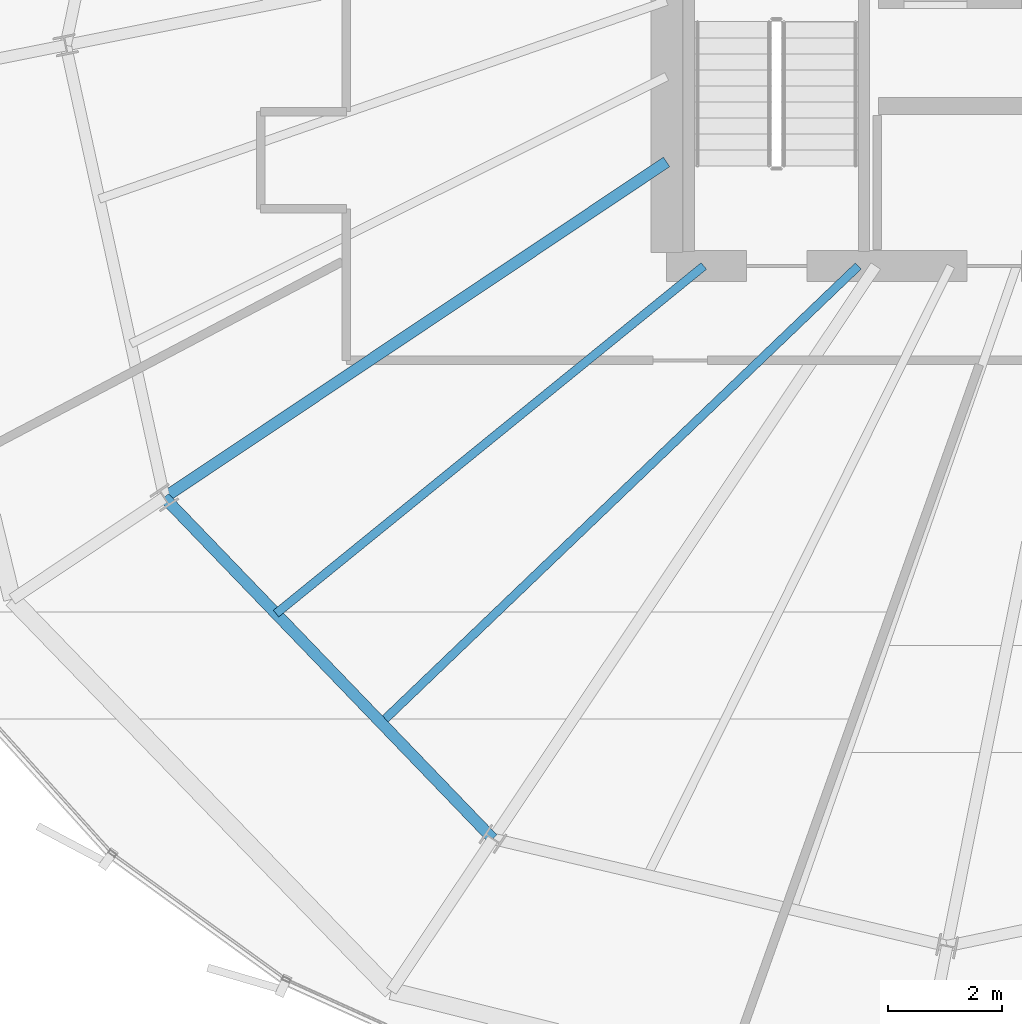
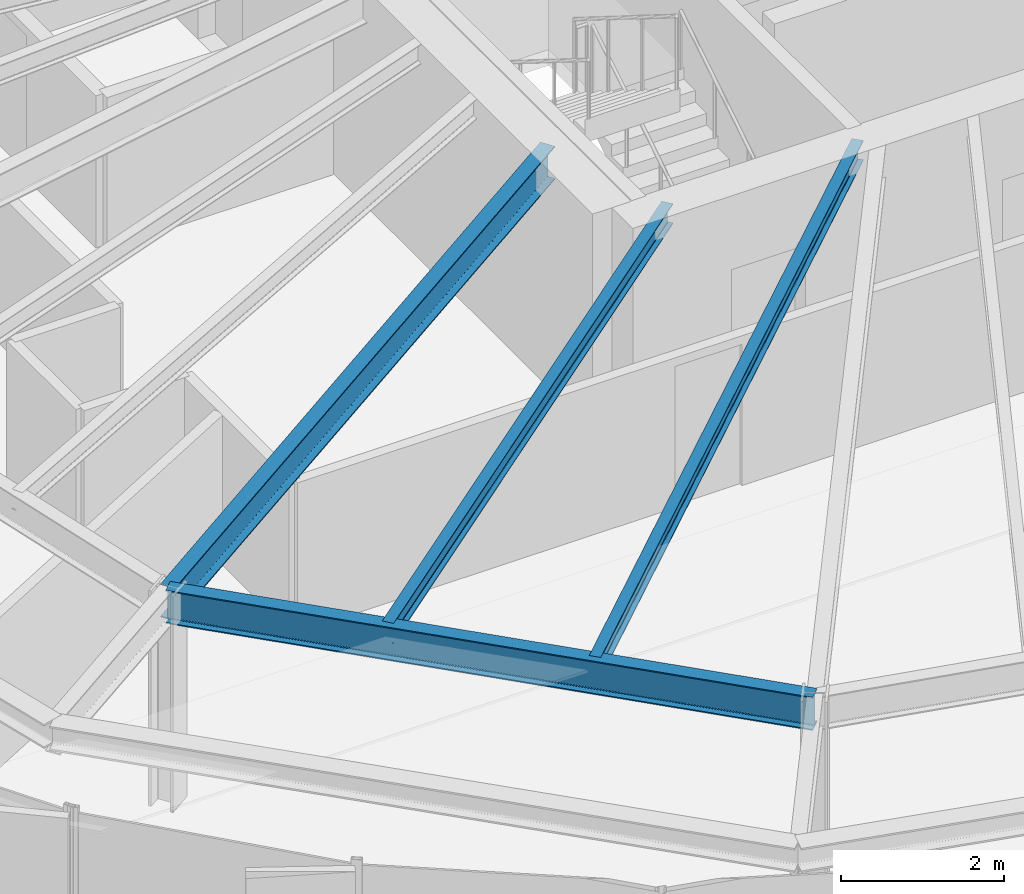
# One storey, part 5 of 35: 4 beams.
"""IFC4 building model written with IfcOpenShell, lengths in metres."""

from ifc_helpers import new_model, si_unit, direction, frame, origin, origin_2d, place, context, subcontext, project, spatial, i_section, extrude, source, transform, mapped, material, material_profile, profile_set, type_object, element, save


model = new_model("IFC4")

# Units and contexts
model_context = context("Model", 3, precision=1e-05, world=origin(), true_north=direction((0.0, 1.0)))
body_context = subcontext(model_context, "Body", "Model", "MODEL_VIEW")
ifc_project = project(units=[si_unit("LENGTHUNIT", "METRE"), si_unit("AREAUNIT", "SQUARE_METRE"), si_unit("VOLUMEUNIT", "CUBIC_METRE"), si_unit("PLANEANGLEUNIT", "RADIAN"), si_unit("MASSUNIT", "GRAM", prefix="KILO"), si_unit("THERMODYNAMICTEMPERATUREUNIT", "KELVIN")], contexts=[model_context])

# Site, building, storey
site_placement = place(None, origin())
site = spatial("IfcSite", under=ifc_project, at=site_placement, CompositionType="ELEMENT")
building_placement = place(site_placement, origin())
building = spatial("IfcBuilding", under=site, at=building_placement, Name="Kethvar Cultural Tower", CompositionType="ELEMENT")
storey_placement = place(building_placement, frame((0.0, 0.0, 179.89990234375)))
storey = spatial("IfcBuildingStorey", under=building, at=storey_placement, Name="L46", CompositionType="ELEMENT", Elevation=179.89990234375)

# Beams
ifc_material = material(Name="Steel S355J2", Category="steel")
ifc_material_profile_1 = material_profile(ifc_material, i_section(OverallWidth=0.199951171875, OverallDepth=0.5, WebThickness=0.01025390625, FlangeThickness=0.01611328125, FilletRadius=0.02099609375, at=origin_2d()), Name="Steel S355J2 — IPE500")
ifc_profile_set_1 = profile_set([ifc_material_profile_1], Name="Steel S355J2 — IPE500")
beam_type_1 = type_object("IfcBeamType", Name="BM-IPE500", PredefinedType="BEAM", material=ifc_profile_set_1)
shared_shape_1 = source(origin(), body_context, "Body", "SweptSolid", [
    extrude(i_section(OverallWidth=0.199951171875, OverallDepth=0.5, WebThickness=0.01025390625, FlangeThickness=0.01611328125, FilletRadius=0.02099609375, at=origin_2d()), origin(), (0.0, 0.0, 1.0), 10.562744140625),
])
beam_1_placement = place(storey_placement, frame((38.0, 21.920166015625, 3.008056640625), z_axis=(-0.831463100754, -0.555579978117, 0.0), x_axis=(0.555579978117, -0.831463100754, 0.0)))
element("IfcBeam", 1, at=beam_1_placement, inside=storey, type_object=beam_type_1, Name="L46 Primary Radial Beam RB-10", PredefinedType="BEAM", context=body_context, shape_type="MappedRepresentation", body=[
    mapped(shared_shape_1, transform((0.0, 0.0, 0.0), scale=1.0)),
])
shared_shape_2 = source(origin(), body_context, "Body", "SweptSolid", [
    extrude(i_section(OverallWidth=0.199951171875, OverallDepth=0.5, WebThickness=0.01025390625, FlangeThickness=0.01611328125, FilletRadius=0.02099609375, at=origin_2d()), origin(), (0.0, 0.0, 1.0), 8.28369140625),
])
beam_2_placement = place(storey_placement, frame((29.217529296875, 16.0517578125, 3.008056640625), z_axis=(0.693554459208, -0.72040420051, 0.0), x_axis=(0.72040420051, 0.693554459208, 0.0)))
element("IfcBeam", 2, at=beam_2_placement, inside=storey, type_object=beam_type_1, Name="L46 Column Ring Tie Beam CR-10", PredefinedType="BEAM", context=body_context, shape_type="MappedRepresentation", body=[
    mapped(shared_shape_2, transform((0.0, 0.0, 0.0), scale=1.0)),
])
ifc_material_profile_2 = material_profile(ifc_material, i_section(OverallWidth=0.14990234375, OverallDepth=0.300048828125, WebThickness=0.007080078125, FlangeThickness=0.0107421875, FilletRadius=0.014892578125, at=origin_2d()), Name="Steel S355J2 — IPE300")
ifc_profile_set_2 = profile_set([ifc_material_profile_2], Name="Steel S355J2 — IPE300")
beam_type_2 = type_object("IfcBeamType", Name="BM-J300", PredefinedType="JOIST", material=ifc_profile_set_2)
shared_shape_3 = source(origin(), body_context, "Body", "SweptSolid", [
    extrude(i_section(OverallWidth=0.14990234375, OverallDepth=0.300048828125, WebThickness=0.007080078125, FlangeThickness=0.0107421875, FilletRadius=0.014892578125, at=origin_2d()), origin(), (0.0, 0.0, 1.0), 9.63671875),
])
beam_3_placement = place(storey_placement, frame((38.64990234375, 20.10009765625, 3.108154296875), z_axis=(-0.776090751649, -0.630621237515, 0.0), x_axis=(0.630621237515, -0.776090751649, 0.0)))
element("IfcBeam", 3, at=beam_3_placement, inside=storey, type_object=beam_type_2, Name="L46 Composite Floor Joist J-10A", PredefinedType="JOIST", context=body_context, shape_type="MappedRepresentation", body=[
    mapped(shared_shape_3, transform((0.0, 0.0, 0.0), scale=1.0)),
])
shared_shape_4 = source(origin(), body_context, "Body", "SweptSolid", [
    extrude(i_section(OverallWidth=0.14990234375, OverallDepth=0.300048828125, WebThickness=0.007080078125, FlangeThickness=0.0107421875, FilletRadius=0.014892578125, at=origin_2d()), origin(), (0.0, 0.0, 1.0), 11.548095703125),
])
beam_4_placement = place(storey_placement, frame((41.35009765625, 20.10009765625, 3.108154296875), z_axis=(-0.722268013472, -0.691613271067, 0.0), x_axis=(0.691613271067, -0.722268013472, 0.0)))
element("IfcBeam", 4, at=beam_4_placement, inside=storey, type_object=beam_type_2, Name="L46 Composite Floor Joist J-10B", PredefinedType="JOIST", context=body_context, shape_type="MappedRepresentation", body=[
    mapped(shared_shape_4, transform((0.0, 0.0, 0.0), scale=1.0)),
])

save(model, "model.ifc")
